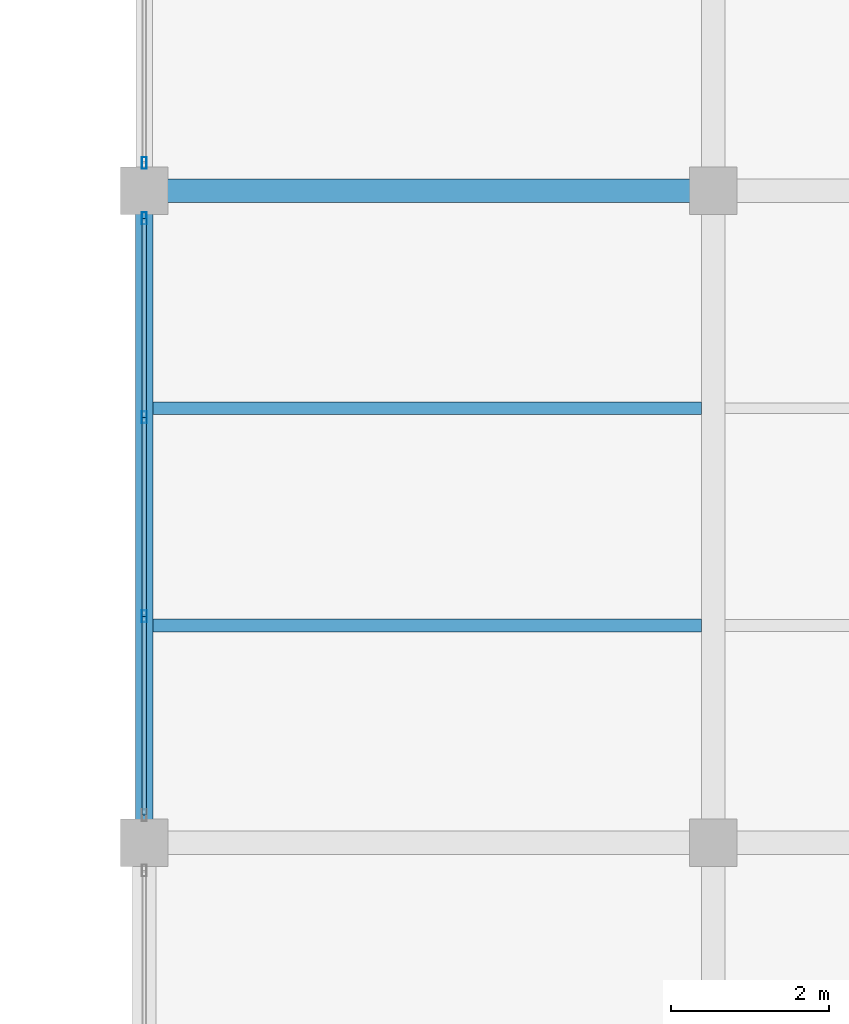
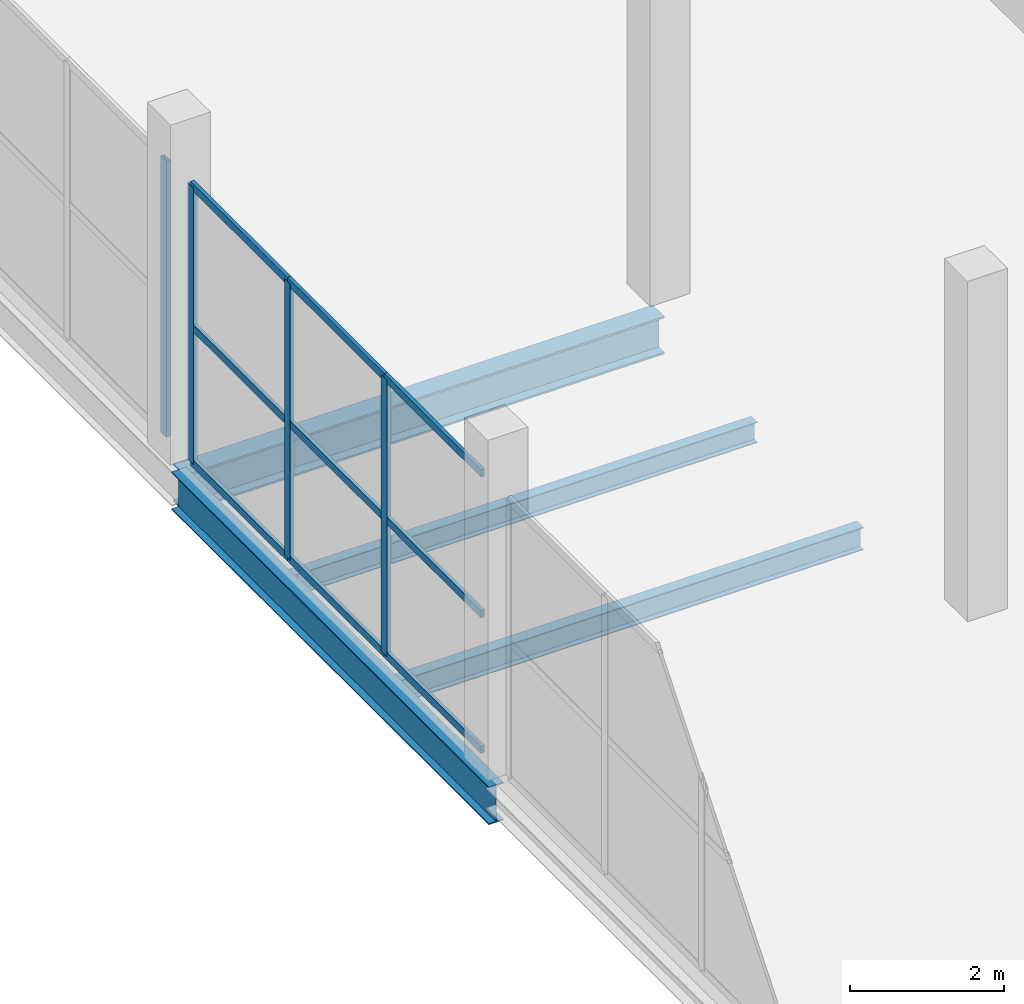
# One storey, part 96 of 141: 13 members, 4 beams, 2 elements without a shape of their own.
"""IFC4 building model written with IfcOpenShell, lengths in metres."""

from ifc_helpers import new_model, si_unit, direction, frame, origin, origin_2d, place, context, subcontext, project, spatial, hollow_rectangle, i_section, extrude, material, layer, layer_set, material_profile, profile_set, type_object, element, aggregate, save


model = new_model("IFC4")

# Units and contexts
model_context = context("Model", 3, precision=1e-05, world=origin(), true_north=direction((0.0, 1.0)))
body_context = subcontext(model_context, "Body", "Model", "MODEL_VIEW")
ifc_project = project(units=[si_unit("LENGTHUNIT", "METRE"), si_unit("AREAUNIT", "SQUARE_METRE"), si_unit("VOLUMEUNIT", "CUBIC_METRE"), si_unit("PLANEANGLEUNIT", "RADIAN"), si_unit("MASSUNIT", "GRAM", prefix="KILO")], contexts=[model_context])

# Site, building, storey
site_placement = place(None, origin())
site = spatial("IfcSite", under=ifc_project, at=site_placement, CompositionType="ELEMENT")
building_placement = place(site_placement, origin())
building = spatial("IfcBuilding", under=site, at=building_placement, Name="Sundgate Opera House", CompositionType="ELEMENT")
storey_placement = place(building_placement, frame((0.0, 0.0, 11.39990234375)))
storey = spatial("IfcBuildingStorey", under=building, at=storey_placement, Name="L02", CompositionType="ELEMENT", Elevation=11.39990234375)

# Beams
ifc_material_1 = material(Name="Steel S355J2", Category="steel")
ifc_material_profile_1 = material_profile(ifc_material_1, i_section(OverallWidth=0.300048828125, OverallDepth=0.60009765625, WebThickness=0.015380859375, FlangeThickness=0.030029296875, at=origin_2d()), Name="HEB 600")
ifc_profile_set_1 = profile_set([ifc_material_profile_1], Name="Steel S355J2")
beam_type_1 = type_object("IfcBeamType", Name="BM-GR-HEB600", PredefinedType="BEAM", material=ifc_profile_set_1)
beam_1_placement = place(storey_placement, frame((153.0, 103.5, -0.64990234375), z_axis=(1.0, 0.0, 0.0), x_axis=(0.0, 1.0, 0.0)))
element("IfcBeam", 1, at=beam_1_placement, inside=storey, type_object=beam_type_1, Name="L02 Primary E-W Girder B2093", PredefinedType="BEAM", context=body_context, shape_type="SweptSolid", body=[
    extrude(i_section(OverallWidth=0.300048828125, OverallDepth=0.60009765625, WebThickness=0.015380859375, FlangeThickness=0.030029296875, at=origin_2d()), origin(), (0.0, 0.0, 1.0), 7.199951171875),
])
ifc_material_2 = material(Name="Steel S355J2", Category="steel")
ifc_material_profile_2 = material_profile(ifc_material_2, i_section(OverallWidth=0.219970703125, OverallDepth=0.60009765625, WebThickness=0.011962890625, FlangeThickness=0.01904296875, at=origin_2d()), Name="IPE 600")
ifc_profile_set_2 = profile_set([ifc_material_profile_2], Name="Steel S355J2")
beam_type_2 = type_object("IfcBeamType", Name="BM-GR-IPE600", PredefinedType="BEAM", material=ifc_profile_set_2)
beam_2_placement = place(storey_placement, frame((153.0, 95.25, -0.64990234375), z_axis=(0.0, 1.0, 0.0), x_axis=(-1.0, 0.0, 0.0)))
element("IfcBeam", 2, at=beam_2_placement, inside=storey, type_object=beam_type_2, Name="L02 Primary N-S Girder B1937", PredefinedType="BEAM", context=body_context, shape_type="SweptSolid", body=[
    extrude(i_section(OverallWidth=0.219970703125, OverallDepth=0.60009765625, WebThickness=0.011962890625, FlangeThickness=0.01904296875, at=origin_2d()), origin(), (0.0, 0.0, 1.0), 8.25),
])
ifc_material_3 = material(Name="Steel S355J2", Category="steel")
ifc_material_profile_3 = material_profile(ifc_material_3, i_section(OverallWidth=0.159912109375, OverallDepth=0.330078125, WebThickness=0.007568359375, FlangeThickness=0.011474609375, at=origin_2d()), Name="IPE 330")
ifc_profile_set_3 = profile_set([ifc_material_profile_3], Name="Steel S355J2")
beam_type_3 = type_object("IfcBeamType", Name="BM-JS-IPE330", PredefinedType="JOIST", material=ifc_profile_set_3)
beam_3_placement = place(storey_placement, frame((153.110107421875, 100.75, -0.514892578125), z_axis=(1.0, 0.0, 0.0), x_axis=(0.0, 1.0, 0.0)))
element("IfcBeam", 3, at=beam_3_placement, inside=storey, type_object=beam_type_3, Name="L02 Secondary Floor Joist B2384", PredefinedType="JOIST", context=body_context, shape_type="SweptSolid", body=[
    extrude(i_section(OverallWidth=0.159912109375, OverallDepth=0.330078125, WebThickness=0.007568359375, FlangeThickness=0.011474609375, at=origin_2d()), origin(), (0.0, 0.0, 1.0), 6.93994140625),
])
ifc_material_4 = material(Name="Steel S355J2", Category="steel")
ifc_material_profile_4 = material_profile(ifc_material_4, i_section(OverallWidth=0.169921875, OverallDepth=0.360107421875, WebThickness=0.008056640625, FlangeThickness=0.0126953125, at=origin_2d()), Name="IPE 360")
ifc_profile_set_4 = profile_set([ifc_material_profile_4], Name="Steel S355J2")
beam_type_4 = type_object("IfcBeamType", Name="BM-JS-IPE360", PredefinedType="JOIST", material=ifc_profile_set_4)
beam_4_placement = place(storey_placement, frame((153.110107421875, 98.0, -0.52978515625), z_axis=(1.0, 0.0, 0.0), x_axis=(0.0, 1.0, 0.0)))
element("IfcBeam", 4, at=beam_4_placement, inside=storey, type_object=beam_type_4, Name="L02 Secondary Floor Joist B2383", PredefinedType="JOIST", context=body_context, shape_type="SweptSolid", body=[
    extrude(i_section(OverallWidth=0.169921875, OverallDepth=0.360107421875, WebThickness=0.008056640625, FlangeThickness=0.0126953125, at=origin_2d()), origin(), (0.0, 0.0, 1.0), 6.93994140625),
])

# Curtain wall, members
ifc_material_5 = material(Name="Anodized aluminium and low-iron glass", Category="aluminium")
ifc_layer = layer(ifc_material_5, 0.159912109375)
ifc_layer_set = layer_set([ifc_layer], Name="Anodized aluminium and low-iron glass")
curtain_wall_type = type_object("IfcCurtainWallType", Name="CW-STUDIO-DARK", PredefinedType="NOTDEFINED", material=ifc_layer_set)
curtain_wall_1_placement = place(storey_placement, origin())
curtain_wall_1 = element("IfcCurtainWall", 5, at=curtain_wall_1_placement, inside=storey, type_object=curtain_wall_type, Name="L02 Curtain Wall CW119", PredefinedType="NOTDEFINED")
ifc_material_6 = material(Name="Anodized aluminium EN AW-6063", Category="aluminium")
ifc_material_profile_5 = material_profile(ifc_material_6, hollow_rectangle(XDim=0.06005859375, YDim=0.14990234375, WallThickness=0.00390625, at=origin_2d()), Name="CWM 150x60x4")
ifc_profile_set_5 = profile_set([ifc_material_profile_5], Name="Anodized aluminium EN AW-6063")
member_type_1 = type_object("IfcMemberType", Name="CWM-ALU-150x60", PredefinedType="MULLION", material=ifc_profile_set_5)
member_1_placement = place(storey_placement, frame((153.0, 103.14990234375, 0.0), z_axis=(0.0, 0.0, 1.0), x_axis=(1.0, 0.0, 0.0)))
member_1 = element("IfcMember", 6, at=member_1_placement, type_object=member_type_1, Name="CW119 Mullion 1", PredefinedType="MULLION", context=body_context, shape_type="SweptSolid", body=[
    extrude(hollow_rectangle(XDim=0.06005859375, YDim=0.14990234375, WallThickness=0.00390625, at=origin_2d()), origin(), (0.0, 0.0, 1.0), 4.385009765625),
])
member_2_placement = place(storey_placement, frame((153.0, 100.63330078125, 0.0), z_axis=(0.0, 0.0, 1.0), x_axis=(1.0, 0.0, 0.0)))
member_2 = element("IfcMember", 7, at=member_2_placement, type_object=member_type_1, Name="CW119 Mullion 2", PredefinedType="MULLION", context=body_context, shape_type="SweptSolid", body=[
    extrude(hollow_rectangle(XDim=0.06005859375, YDim=0.14990234375, WallThickness=0.00390625, at=origin_2d()), origin(), (0.0, 0.0, 1.0), 4.385009765625),
])
member_3_placement = place(storey_placement, frame((153.0, 98.11669921875, 0.0), z_axis=(0.0, 0.0, 1.0), x_axis=(1.0, 0.0, 0.0)))
member_3 = element("IfcMember", 8, at=member_3_placement, type_object=member_type_1, Name="CW119 Mullion 3", PredefinedType="MULLION", context=body_context, shape_type="SweptSolid", body=[
    extrude(hollow_rectangle(XDim=0.06005859375, YDim=0.14990234375, WallThickness=0.00390625, at=origin_2d()), origin(), (0.0, 0.0, 1.0), 4.385009765625),
])

# Curtain wall, member
curtain_wall_2_placement = place(storey_placement, origin())
curtain_wall_2 = element("IfcCurtainWall", 9, at=curtain_wall_2_placement, inside=storey, type_object=curtain_wall_type, Name="L02 Curtain Wall CW121", PredefinedType="NOTDEFINED")
member_4_placement = place(storey_placement, frame((153.0, 103.85009765625, 0.0), z_axis=(0.0, 0.0, 1.0), x_axis=(1.0, 0.0, 0.0)))
member_4 = element("IfcMember", 10, at=member_4_placement, type_object=member_type_1, Name="CW121 Mullion 4", PredefinedType="MULLION", context=body_context, shape_type="SweptSolid", body=[
    extrude(hollow_rectangle(XDim=0.06005859375, YDim=0.14990234375, WallThickness=0.00390625, at=origin_2d()), origin(), (0.0, 0.0, 1.0), 4.385009765625),
])
aggregate(curtain_wall_2, [member_4])

# Member
ifc_material_7 = material(Name="Anodized aluminium EN AW-6063", Category="aluminium")
ifc_material_profile_6 = material_profile(ifc_material_7, hollow_rectangle(XDim=0.054931640625, YDim=0.1201171875, WallThickness=0.00390625, at=origin_2d()), Name="CWT 120x55x4")
ifc_profile_set_6 = profile_set([ifc_material_profile_6], Name="Anodized aluminium EN AW-6063")
member_type_2 = type_object("IfcMemberType", Name="CWT-ALU-120x55", PredefinedType="USERDEFINED", material=ifc_profile_set_6)
member_5_placement = place(storey_placement, frame((153.0, 103.14990234375, 0.0), z_axis=(0.0, -1.0, 0.0), x_axis=(1.0, 0.0, 0.0)))
member_5 = element("IfcMember", 11, at=member_5_placement, type_object=member_type_2, Name="CW119 Transom 1", ObjectType="TRANSOM", PredefinedType="USERDEFINED", context=body_context, shape_type="SweptSolid", body=[
    extrude(hollow_rectangle(XDim=0.054931640625, YDim=0.1201171875, WallThickness=0.00390625, at=origin_2d()), origin(), (0.0, 0.0, 1.0), 2.5166015625),
])

member_6_placement = place(storey_placement, frame((153.0, 103.14990234375, 2.150146484375), z_axis=(0.0, -1.0, 0.0), x_axis=(1.0, 0.0, 0.0)))
member_6 = element("IfcMember", 12, at=member_6_placement, type_object=member_type_2, Name="CW119 Transom 2", ObjectType="TRANSOM", PredefinedType="USERDEFINED", context=body_context, shape_type="SweptSolid", body=[
    extrude(hollow_rectangle(XDim=0.054931640625, YDim=0.1201171875, WallThickness=0.00390625, at=origin_2d()), origin(), (0.0, 0.0, 1.0), 2.5166015625),
])

member_7_placement = place(storey_placement, frame((153.0, 103.14990234375, 4.385009765625), z_axis=(0.0, -1.0, 0.0), x_axis=(1.0, 0.0, 0.0)))
member_7 = element("IfcMember", 13, at=member_7_placement, type_object=member_type_2, Name="CW119 Transom 3", ObjectType="TRANSOM", PredefinedType="USERDEFINED", context=body_context, shape_type="SweptSolid", body=[
    extrude(hollow_rectangle(XDim=0.054931640625, YDim=0.1201171875, WallThickness=0.00390625, at=origin_2d()), origin(), (0.0, 0.0, 1.0), 2.5166015625),
])

member_8_placement = place(storey_placement, frame((153.0, 100.63330078125, 0.0), z_axis=(0.0, -1.0, 0.0), x_axis=(1.0, 0.0, 0.0)))
member_8 = element("IfcMember", 14, at=member_8_placement, type_object=member_type_2, Name="CW119 Transom 4", ObjectType="TRANSOM", PredefinedType="USERDEFINED", context=body_context, shape_type="SweptSolid", body=[
    extrude(hollow_rectangle(XDim=0.054931640625, YDim=0.1201171875, WallThickness=0.00390625, at=origin_2d()), origin(), (0.0, 0.0, 1.0), 2.5166015625),
])

member_9_placement = place(storey_placement, frame((153.0, 100.63330078125, 2.150146484375), z_axis=(0.0, -1.0, 0.0), x_axis=(1.0, 0.0, 0.0)))
member_9 = element("IfcMember", 15, at=member_9_placement, type_object=member_type_2, Name="CW119 Transom 5", ObjectType="TRANSOM", PredefinedType="USERDEFINED", context=body_context, shape_type="SweptSolid", body=[
    extrude(hollow_rectangle(XDim=0.054931640625, YDim=0.1201171875, WallThickness=0.00390625, at=origin_2d()), origin(), (0.0, 0.0, 1.0), 2.5166015625),
])

member_10_placement = place(storey_placement, frame((153.0, 100.63330078125, 4.385009765625), z_axis=(0.0, -1.0, 0.0), x_axis=(1.0, 0.0, 0.0)))
member_10 = element("IfcMember", 16, at=member_10_placement, type_object=member_type_2, Name="CW119 Transom 6", ObjectType="TRANSOM", PredefinedType="USERDEFINED", context=body_context, shape_type="SweptSolid", body=[
    extrude(hollow_rectangle(XDim=0.054931640625, YDim=0.1201171875, WallThickness=0.00390625, at=origin_2d()), origin(), (0.0, 0.0, 1.0), 2.5166015625),
])

member_11_placement = place(storey_placement, frame((153.0, 98.11669921875, 0.0), z_axis=(0.0, -1.0, 0.0), x_axis=(1.0, 0.0, 0.0)))
member_11 = element("IfcMember", 17, at=member_11_placement, type_object=member_type_2, Name="CW119 Transom 7", ObjectType="TRANSOM", PredefinedType="USERDEFINED", context=body_context, shape_type="SweptSolid", body=[
    extrude(hollow_rectangle(XDim=0.054931640625, YDim=0.1201171875, WallThickness=0.00390625, at=origin_2d()), origin(), (0.0, 0.0, 1.0), 2.5166015625),
])

member_12_placement = place(storey_placement, frame((153.0, 98.11669921875, 2.150146484375), z_axis=(0.0, -1.0, 0.0), x_axis=(1.0, 0.0, 0.0)))
member_12 = element("IfcMember", 18, at=member_12_placement, type_object=member_type_2, Name="CW119 Transom 8", ObjectType="TRANSOM", PredefinedType="USERDEFINED", context=body_context, shape_type="SweptSolid", body=[
    extrude(hollow_rectangle(XDim=0.054931640625, YDim=0.1201171875, WallThickness=0.00390625, at=origin_2d()), origin(), (0.0, 0.0, 1.0), 2.5166015625),
])

member_13_placement = place(storey_placement, frame((153.0, 98.11669921875, 4.385009765625), z_axis=(0.0, -1.0, 0.0), x_axis=(1.0, 0.0, 0.0)))
member_13 = element("IfcMember", 19, at=member_13_placement, type_object=member_type_2, Name="CW119 Transom 9", ObjectType="TRANSOM", PredefinedType="USERDEFINED", context=body_context, shape_type="SweptSolid", body=[
    extrude(hollow_rectangle(XDim=0.054931640625, YDim=0.1201171875, WallThickness=0.00390625, at=origin_2d()), origin(), (0.0, 0.0, 1.0), 2.5166015625),
])

aggregate(curtain_wall_1, [member_1, member_2, member_3, member_5, member_6, member_7, member_8, member_9, member_10, member_11, member_12, member_13])

save(model, "model.ifc")
